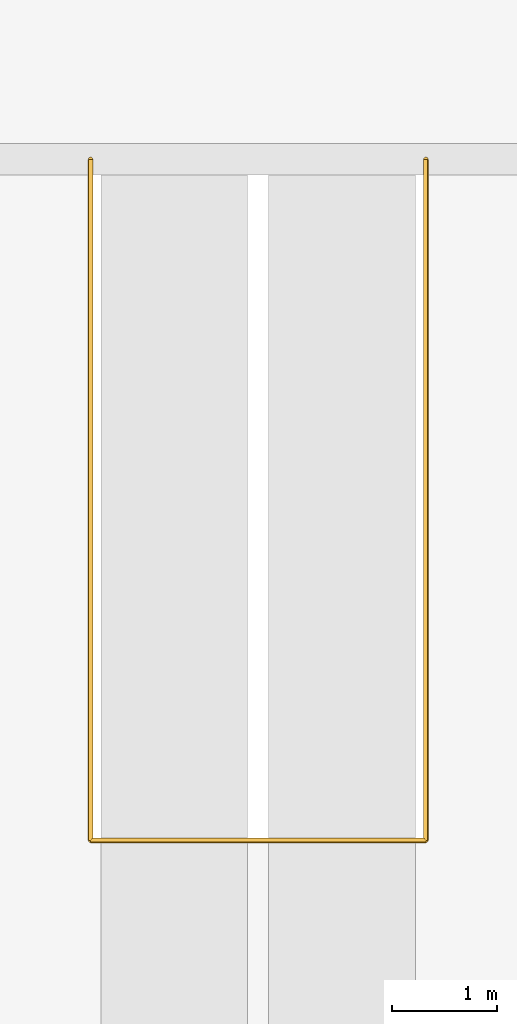
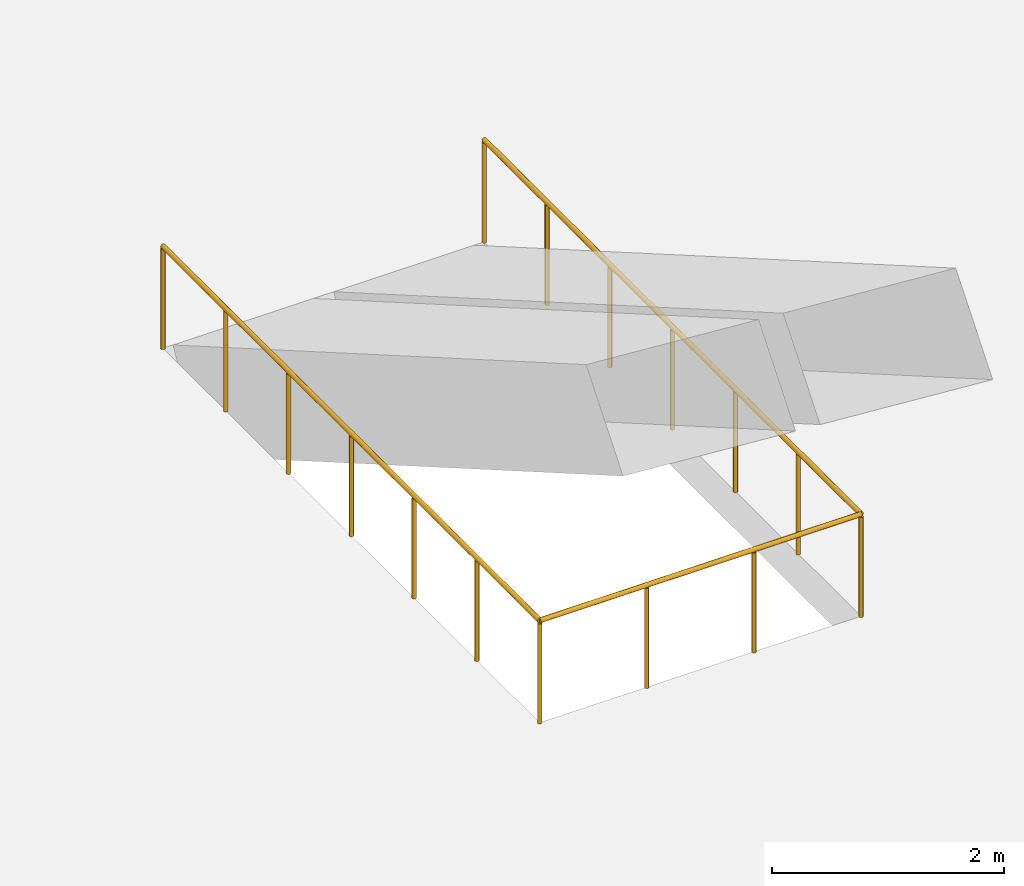
# One storey, part 21 of 26: 1 railing.
"""IFC4 building model written with IfcOpenShell, lengths in metres."""

import ifcopenshell
import ifcopenshell.guid

model = None  # the IFC model being written
_history = None  # IfcOwnerHistory: only IFC2X3 demands one
_inside = {}  # id of a spatial element -> (the spatial element, [elements in it])
_under = {}  # id of a project, library or spatial element -> (it, [spatial elements below it])
_declared = {}  # id of a project -> (the project, [libraries it declares])
_typed = {}  # id of a type object -> (the type object, [elements of that type])
_made_of = {}  # id of a material, layer set ... -> (it, [elements and type objects made of it])


def new_model(schema):
    """Start an empty IFC model of exactly this schema.

    Asked for "IFC4X3", IfcOpenShell would pick the latest addendum, in which some entities
    have other attributes; the version numbers below select the first issue.
    IFC2X3 requires an IfcOwnerHistory on every rooted entity: one is made here for all.
    """
    global model, _history
    if schema == "IFC4X3":
        model = ifcopenshell.file(schema_version=(4, 3, 0, 0))
    else:
        model = ifcopenshell.file(schema=schema)
    _inside.clear()
    _under.clear()
    _declared.clear()
    _typed.clear()
    _made_of.clear()
    _history = None
    if model.schema == "IFC2X3":
        org = make("IfcOrganization", Name="unknown")
        user = make(
            "IfcPersonAndOrganization",
            ThePerson=make("IfcPerson", FamilyName="unknown"),
            TheOrganization=org,
        )
        app = make(
            "IfcApplication",
            ApplicationDeveloper=org,
            Version="unknown",
            ApplicationFullName="unknown",
            ApplicationIdentifier="unknown",
        )
        _history = make(
            "IfcOwnerHistory",
            OwningUser=user,
            OwningApplication=app,
            ChangeAction="ADDED",
            CreationDate=0,
        )
    return model


def make(cls, **values):
    """One entity of the class cls with the attributes given. An attribute that is None is left unset."""
    return model.create_entity(
        cls, **{name: value for name, value in values.items() if value is not None}
    )


def rooted(cls, **values):
    """An entity with a GlobalId (a new one), such as an element, a storey or a relation."""
    return make(cls, GlobalId=ifcopenshell.guid.new(), OwnerHistory=_history, **values)


def si_unit(unit_type, name, prefix=None):
    """IfcSIUnit, for example si_unit("LENGTHUNIT", "METRE", prefix="MILLI")."""
    return make("IfcSIUnit", UnitType=unit_type, Prefix=prefix, Name=name)


def assignment(units):
    """IfcUnitAssignment: the units of a project."""
    return None if units is None else make("IfcUnitAssignment", Units=units)


def point(xyz):
    """IfcCartesianPoint."""
    return None if xyz is None else make("IfcCartesianPoint", Coordinates=xyz)


def direction(xyz):
    """IfcDirection."""
    return None if xyz is None else make("IfcDirection", DirectionRatios=xyz)


def frame(location, z_axis=None, x_axis=None):
    """IfcAxis2Placement3D, a coordinate frame: its origin and axes. An axis left out is left unset."""
    return make(
        "IfcAxis2Placement3D",
        Location=point(location),
        Axis=direction(z_axis),
        RefDirection=direction(x_axis),
    )


def frame_2d(location, x_axis=None):
    """IfcAxis2Placement2D, a coordinate frame in the plane: its origin and x axis."""
    return make(
        "IfcAxis2Placement2D", Location=point(location), RefDirection=direction(x_axis)
    )


def origin():
    """The frame at (0, 0, 0) with its axes left unset."""
    return frame((0.0, 0.0, 0.0))


def origin_2d():
    """The frame at (0, 0) in the plane with its x axis left unset."""
    return frame_2d((0.0, 0.0))


def place(relative_to, where):
    """IfcLocalPlacement: puts the frame where relative to a parent placement (None: the world)."""
    return make(
        "IfcLocalPlacement", PlacementRelTo=relative_to, RelativePlacement=where
    )


def context(
    kind, dimensions, precision=None, world=None, true_north=None, identifier=None
):
    """IfcGeometricRepresentationContext, for example the 3D "Model" context."""
    return make(
        "IfcGeometricRepresentationContext",
        ContextIdentifier=identifier,
        ContextType=kind,
        CoordinateSpaceDimension=dimensions,
        Precision=precision,
        WorldCoordinateSystem=world,
        TrueNorth=true_north,
    )


def subcontext(parent, identifier, kind, view, scale=None):
    """IfcGeometricRepresentationSubContext, for example "Body" below "Model"."""
    return make(
        "IfcGeometricRepresentationSubContext",
        ContextIdentifier=identifier,
        ContextType=kind,
        ParentContext=parent,
        TargetScale=scale,
        TargetView=view,
    )


def project(units=None, contexts=None):
    """IfcProject with its units and contexts."""
    return rooted(
        "IfcProject",
        Name="project",
        RepresentationContexts=contexts,
        UnitsInContext=assignment(units),
    )


def spatial(cls, under=None, at=None, **own):
    """A site, building, storey or space (cls), placed at a placement, below another one or the project."""
    s = rooted(cls, ObjectPlacement=at, **own)
    if under is not None:
        _under.setdefault(under.id(), (under, []))[1].append(s)
    return s


def profile(cls, at=None, kind="AREA", **sizes):
    """A parametric profile (cls). Its sizes go by their IFC names, for example OverallWidth=200.0."""
    return make(cls, ProfileType=kind, Position=at, **sizes)


def circle(**sizes):
    """IfcCircleProfileDef."""
    return profile("IfcCircleProfileDef", **sizes)


def extrude(swept, where, along, depth):
    """IfcExtrudedAreaSolid: the profile swept, set in the frame where, extruded along a direction by depth."""
    return make(
        "IfcExtrudedAreaSolid",
        SweptArea=swept,
        Position=where,
        ExtrudedDirection=direction(along),
        Depth=depth,
    )


def shape(context_of_items, identifier, shape_type, items):
    """IfcShapeRepresentation: the items that make up one representation, for example the "Body"."""
    return make(
        "IfcShapeRepresentation",
        ContextOfItems=context_of_items,
        RepresentationIdentifier=identifier,
        RepresentationType=shape_type,
        Items=items,
    )


def material(Name=None, Category=None):
    """IfcMaterial."""
    return make("IfcMaterial", Name=Name, Category=Category)


def made_of(thing, what):
    """Note that an element or type object is made of a material, layer set ...; save() writes the relation."""
    if what is not None:
        _made_of.setdefault(what.id(), (what, []))[1].append(thing)
    return thing


def type_object(cls, material=None, **own):
    """A type object (cls), such as IfcWallType, which elements share."""
    return made_of(rooted(cls, **own), material)


def element(
    cls,
    number,
    at=None,
    inside=None,
    cuts=None,
    type_object=None,
    material=None,
    context=None,
    identifier="Body",
    shape_type=None,
    held_by="IfcProductDefinitionShape",
    body=None,
    shapes=None,
    **own,
):
    """One element of the class cls, such as IfcWall. Its Tag is "e" and its number.

    at: its placement. inside: the storey or other place that contains it. cuts: it is an
    opening in that element (IfcRelVoidsElement). A single representation is given by context,
    identifier, shape_type and body (its items); several are given by shapes. held_by: the class
    of the entity that holds the representations. save() writes the other relations.
    """
    e = rooted(cls, Tag="e%d" % number, ObjectPlacement=at, **own)
    if body is not None:
        shapes = [shape(context, identifier, shape_type, body)]
    if shapes is not None:
        e.Representation = make(held_by, Representations=shapes)
    if inside is not None:
        _inside.setdefault(inside.id(), (inside, []))[1].append(e)
    if cuts is not None:
        rooted(
            "IfcRelVoidsElement", RelatingBuildingElement=cuts, RelatedOpeningElement=e
        )
    if type_object is not None:
        _typed.setdefault(type_object.id(), (type_object, []))[1].append(e)
    return made_of(e, material)


def aggregate(whole, parts):
    """IfcRelAggregates: a whole, such as a stair, and the parts it consists of."""
    return rooted("IfcRelAggregates", RelatingObject=whole, RelatedObjects=parts)


def save(model, path):
    """Write the relations noted so far, then the file.

    IfcRelAggregates (storeys below a building ...), IfcRelContainedInSpatialStructure (elements
    in a storey), IfcRelDefinesByType, IfcRelAssociatesMaterial and IfcRelDeclares: one each for
    every whole, place, type object, material and project.
    """
    for whole, parts in _under.values():
        aggregate(whole, parts)
    for where, things in _inside.values():
        rooted(
            "IfcRelContainedInSpatialStructure",
            RelatedElements=things,
            RelatingStructure=where,
        )
    for kind, things in _typed.values():
        rooted("IfcRelDefinesByType", RelatedObjects=things, RelatingType=kind)
    for what, things in _made_of.values():
        rooted("IfcRelAssociatesMaterial", RelatedObjects=things, RelatingMaterial=what)
    for by, libraries in _declared.values():
        rooted("IfcRelDeclares", RelatingContext=by, RelatedDefinitions=libraries)
    model.write(path)


model = new_model("IFC4")

# Units and contexts
model_context = context("Model", 3, precision=1e-05, world=origin(), true_north=direction((0.0, 1.0)))
body_context = subcontext(model_context, "Body", "Model", "MODEL_VIEW")
ifc_project = project(units=[si_unit("LENGTHUNIT", "METRE"), si_unit("AREAUNIT", "SQUARE_METRE"), si_unit("VOLUMEUNIT", "CUBIC_METRE"), si_unit("PLANEANGLEUNIT", "RADIAN"), si_unit("MASSUNIT", "GRAM", prefix="KILO")], contexts=[model_context])

# Site, building, storey
site_placement = place(None, origin())
site = spatial("IfcSite", under=ifc_project, at=site_placement, CompositionType="ELEMENT")
building_placement = place(site_placement, origin())
building = spatial("IfcBuilding", under=site, at=building_placement, Name="Tel Ilan Convention Tower", CompositionType="ELEMENT")
storey_placement = place(building_placement, frame((0.0, 0.0, 37.5)))
storey = spatial("IfcBuildingStorey", under=building, at=storey_placement, Name="L05", CompositionType="ELEMENT", Elevation=37.5)

# Railing
ifc_material = material(Name="Stainless Steel Grade 316", Category="steel")
railing_type = type_object("IfcRailingType", Name="Stainless Steel Escalator Opening Guard 1100 mm", PredefinedType="GUARDRAIL", material=ifc_material)
railing_placement = place(storey_placement, frame((-1.60009765625, -39.009521484375, 0.0)))
element("IfcRailing", 1, at=railing_placement, inside=storey, type_object=railing_type, Name="L05 escalator opening guard", PredefinedType="GUARDRAIL", context=body_context, shape_type="SweptSolid", body=[
    extrude(circle(Radius=0.02392578125, at=origin_2d()), frame((0.0, 0.0, 1.076171875), z_axis=(0.0, -1.0, 0.0), x_axis=(1.0, 0.0, 0.0)), (0.0, 0.0, 1.0), 6.5),
    extrude(circle(Radius=0.02392578125, at=origin_2d()), frame((0.0, -6.5, 1.076171875), z_axis=(1.0, 0.0, 0.0), x_axis=(0.0, 1.0, 0.0)), (0.0, 0.0, 1.0), 3.2001953125),
    extrude(circle(Radius=0.02392578125, at=origin_2d()), frame((3.2001953125, -6.5, 1.076171875), z_axis=(0.0, 1.0, 0.0), x_axis=(-1.0, 0.0, 0.0)), (0.0, 0.0, 1.0), 6.5),
    extrude(circle(Radius=0.02099609375, at=origin_2d()), origin(), (0.0, 0.0, 1.0), 1.052001953125),
    extrude(circle(Radius=0.02099609375, at=origin_2d()), frame((0.0, -1.083251953125, 0.0)), (0.0, 0.0, 1.0), 1.052001953125),
    extrude(circle(Radius=0.02099609375, at=origin_2d()), frame((0.0, -2.166748046875, 0.0)), (0.0, 0.0, 1.0), 1.052001953125),
    extrude(circle(Radius=0.02099609375, at=origin_2d()), frame((0.0, -3.25, 0.0)), (0.0, 0.0, 1.0), 1.052001953125),
    extrude(circle(Radius=0.02099609375, at=origin_2d()), frame((0.0, -4.333251953125, 0.0)), (0.0, 0.0, 1.0), 1.052001953125),
    extrude(circle(Radius=0.02099609375, at=origin_2d()), frame((0.0, -5.416748046875, 0.0)), (0.0, 0.0, 1.0), 1.052001953125),
    extrude(circle(Radius=0.02099609375, at=origin_2d()), frame((0.0, -6.5, 0.0)), (0.0, 0.0, 1.0), 1.052001953125),
    extrude(circle(Radius=0.02099609375, at=origin_2d()), frame((1.066650390625, -6.5, 0.0)), (0.0, 0.0, 1.0), 1.052001953125),
    extrude(circle(Radius=0.02099609375, at=origin_2d()), frame((2.133544921875, -6.5, 0.0)), (0.0, 0.0, 1.0), 1.052001953125),
    extrude(circle(Radius=0.02099609375, at=origin_2d()), frame((3.2001953125, -6.5, 0.0)), (0.0, 0.0, 1.0), 1.052001953125),
    extrude(circle(Radius=0.02099609375, at=origin_2d()), frame((3.2001953125, -5.416748046875, 0.0)), (0.0, 0.0, 1.0), 1.052001953125),
    extrude(circle(Radius=0.02099609375, at=origin_2d()), frame((3.2001953125, -4.333251953125, 0.0)), (0.0, 0.0, 1.0), 1.052001953125),
    extrude(circle(Radius=0.02099609375, at=origin_2d()), frame((3.2001953125, -3.25, 0.0)), (0.0, 0.0, 1.0), 1.052001953125),
    extrude(circle(Radius=0.02099609375, at=origin_2d()), frame((3.2001953125, -2.166748046875, 0.0)), (0.0, 0.0, 1.0), 1.052001953125),
    extrude(circle(Radius=0.02099609375, at=origin_2d()), frame((3.2001953125, -1.083251953125, 0.0)), (0.0, 0.0, 1.0), 1.052001953125),
    extrude(circle(Radius=0.02099609375, at=origin_2d()), frame((3.2001953125, 0.0, 0.0)), (0.0, 0.0, 1.0), 1.052001953125),
])

save(model, "model.ifc")
